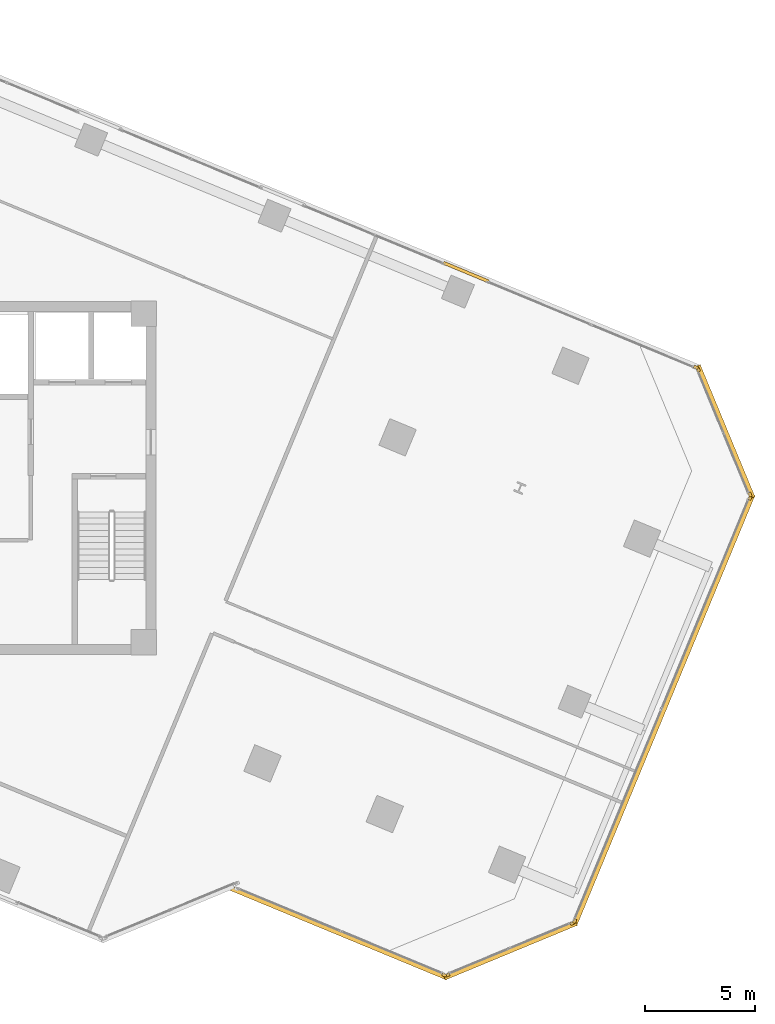
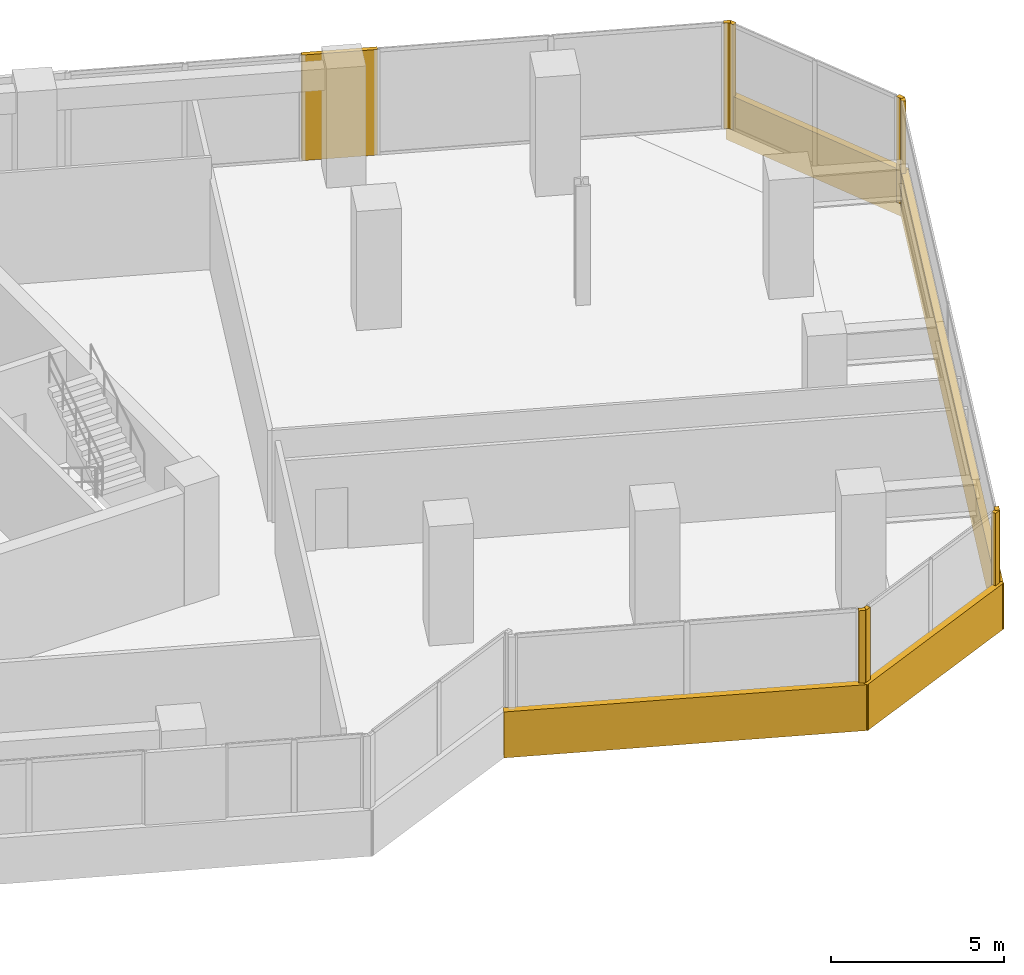
# One storey, part 23 of 24: 13 coverings.
"""IFC4 building model written with IfcOpenShell, lengths in metres."""

from ifc_helpers import new_model, si_unit, direction, frame, origin, origin_2d, place, context, subcontext, project, spatial, rectangle, extrude, source, transform, mapped, material, layer, layer_set, type_object, element, save


model = new_model("IFC4")

# Units and contexts
model_context = context("Model", 3, precision=1e-05, world=origin(), true_north=direction((0.0, 1.0)))
body_context = subcontext(model_context, "Body", "Model", "MODEL_VIEW")
ifc_project = project(units=[si_unit("LENGTHUNIT", "METRE"), si_unit("AREAUNIT", "SQUARE_METRE"), si_unit("VOLUMEUNIT", "CUBIC_METRE"), si_unit("PLANEANGLEUNIT", "RADIAN"), si_unit("MASSUNIT", "GRAM", prefix="KILO")], contexts=[model_context])

# Site, building, storey
site_placement = place(None, origin())
site = spatial("IfcSite", under=ifc_project, at=site_placement, CompositionType="ELEMENT")
building_placement = place(site_placement, origin())
building = spatial("IfcBuilding", under=site, at=building_placement, Name="Torre Montelarca", CompositionType="ELEMENT")
storey_placement = place(building_placement, frame((0.0, 0.0, 141.39990234375)))
storey = spatial("IfcBuildingStorey", under=building, at=storey_placement, Name="L31", CompositionType="ELEMENT", Elevation=141.39990234375)

# Coverings
ifc_material = material(Name="Bush-hammered warm white precast concrete C45/55", Category="concrete")
ifc_layer = layer(ifc_material, 0.139892578125, Name="Bush-hammered warm white precast concrete C45/55", Category="concrete")
ifc_layer_set = layer_set([ifc_layer], Name="Bush-hammered warm white precast concrete C45/55")
covering_type = type_object("IfcCoveringType", Name="COV-TRAY-CLAD", PredefinedType="CLADDING", material=ifc_layer_set)
shared_shape_1 = source(origin(), body_context, "Body", "SweptSolid", [
    extrude(rectangle(XDim=6.48388671875, YDim=0.219970703125, at=origin_2d()), origin(), (0.0, 0.0, 1.0), 1.6201171875),
])
for number, where, z_axis, x_axis, name in (
    (1, (43.07568359375, 10.58447265625, -0.449951171875), (0.0, 0.0, 1.0), (0.923885543575, 0.382668920052, 0.0), "L31 Architectural White Spandrel Tray Band TRYBOT-05"),
    (2, (52.81787109375, 34.10400390625, -0.449951171875), (0.0, 0.0, 1.0), (-0.3826737575, 0.923883539912, 0.0), "L31 Architectural White Spandrel Tray Band TRYBOT-07"),
):
    element("IfcCovering", number, at=place(storey_placement, frame(where, z_axis=z_axis, x_axis=x_axis)), inside=storey, type_object=covering_type, Name=name, PredefinedType="CLADDING", context=body_context, shape_type="MappedRepresentation", body=[
        mapped(shared_shape_1, transform((0.0, 0.0, 0.0), scale=1.0)),
    ])
shared_shape_2 = source(origin(), body_context, "Body", "SweptSolid", [
    extrude(rectangle(XDim=21.1201171875, YDim=0.219970703125, at=origin_2d()), origin(), (0.0, 0.0, 1.0), 1.6201171875),
])
covering_1_placement = place(storey_placement, frame((50.017333984375, 21.486572265625, -0.449951171875), z_axis=(0.0, 0.0, 1.0), x_axis=(0.382680207415, 0.923880868323, 0.0)))
element("IfcCovering", 3, at=covering_1_placement, inside=storey, type_object=covering_type, Name="L31 Architectural White Spandrel Tray Band TRYBOT-06", PredefinedType="CLADDING", context=body_context, shape_type="MappedRepresentation", body=[
    mapped(shared_shape_2, transform((0.0, 0.0, 0.0), scale=1.0)),
])
shared_shape_3 = source(origin(), body_context, "Body", "SweptSolid", [
    extrude(rectangle(XDim=0.199951171875, YDim=0.139892578125, at=origin_2d()), origin(), (0.0, 0.0, 1.0), 3.719970703125),
])
for number, where, z_axis, x_axis, name in (
    (4, (40.07470703125, 9.466552734375, 0.0), (0.0, 0.0, 1.0), (0.923882872019, -0.382675369981, 0.0), "L31 Architectural Column Pier Cladding E04-2"),
    (5, (40.219970703125, 9.466552734375, 0.0), (0.0, 0.0, 1.0), (0.923885543575, 0.382668920052, 0.0), "L31 Architectural Column Pier Cladding E05-1"),
    (6, (45.885498046875, 11.81298828125, 0.0), (0.0, 0.0, 1.0), (0.923885543575, 0.382668920052, 0.0), "L31 Architectural Column Pier Cladding E05-2"),
    (7, (45.98828125, 11.915771484375, 0.0), (0.0, 0.0, 1.0), (0.382681819891, 0.923880200418, 0.0), "L31 Architectural Column Pier Cladding E06-1"),
    (8, (53.935791015625, 31.103271484375, 0.0), (0.0, 0.0, 1.0), (0.382681819891, 0.923880200418, 0.0), "L31 Architectural Column Pier Cladding E06-2"),
    (9, (53.935791015625, 31.248291015625, 0.0), (0.0, 0.0, 1.0), (-0.382675369981, 0.923882872019, 0.0), "L31 Architectural Column Pier Cladding E07-1"),
    (10, (51.589111328125, 36.913818359375, 0.0), (0.0, 0.0, 1.0), (-0.382675369981, 0.923882872019, 0.0), "L31 Architectural Column Pier Cladding E07-2"),
    (11, (51.486572265625, 37.0166015625, 0.0), (0.0, 0.0, 1.0), (-0.923878864601, 0.382685044838, 0.0), "L31 Architectural Column Pier Cladding E08-1"),
):
    element("IfcCovering", number, at=place(storey_placement, frame(where, z_axis=z_axis, x_axis=x_axis)), inside=storey, type_object=covering_type, Name=name, PredefinedType="CLADDING", context=body_context, shape_type="MappedRepresentation", body=[
        mapped(shared_shape_3, transform((0.0, 0.0, 0.0), scale=1.0)),
    ])
shared_shape_4 = source(origin(), body_context, "Body", "SweptSolid", [
    extrude(rectangle(XDim=2.2099609375, YDim=0.139892578125, at=origin_2d()), origin(), (0.0, 0.0, 1.0), 3.719970703125),
])
covering_2_placement = place(storey_placement, frame((41.061279296875, 41.334716796875, 0.0), z_axis=(0.0, 0.0, 1.0), x_axis=(-0.923878864601, 0.382685044838, 0.0)))
element("IfcCovering", 12, at=covering_2_placement, inside=storey, type_object=covering_type, Name="L31 Architectural Column Pier Cladding E08-2", PredefinedType="CLADDING", context=body_context, shape_type="MappedRepresentation", body=[
    mapped(shared_shape_4, transform((0.0, 0.0, 0.0), scale=1.0)),
])
shared_shape_5 = source(origin(), body_context, "Body", "SweptSolid", [
    extrude(rectangle(XDim=10.619873046875, YDim=0.219970703125, at=origin_2d()), origin(), (0.0, 0.0, 1.0), 1.6201171875),
])
covering_3_placement = place(storey_placement, frame((35.30859375, 11.375732421875, -0.449951171875), z_axis=(0.0, 0.0, 1.0), x_axis=(0.923881536224, -0.382678594938, 0.0)))
element("IfcCovering", 13, at=covering_3_placement, inside=storey, type_object=covering_type, Name="L31 Architectural White Spandrel Tray Band TRYBOT-04", PredefinedType="CLADDING", context=body_context, shape_type="MappedRepresentation", body=[
    mapped(shared_shape_5, transform((0.0, 0.0, 0.0), scale=1.0)),
])

save(model, "model.ifc")
